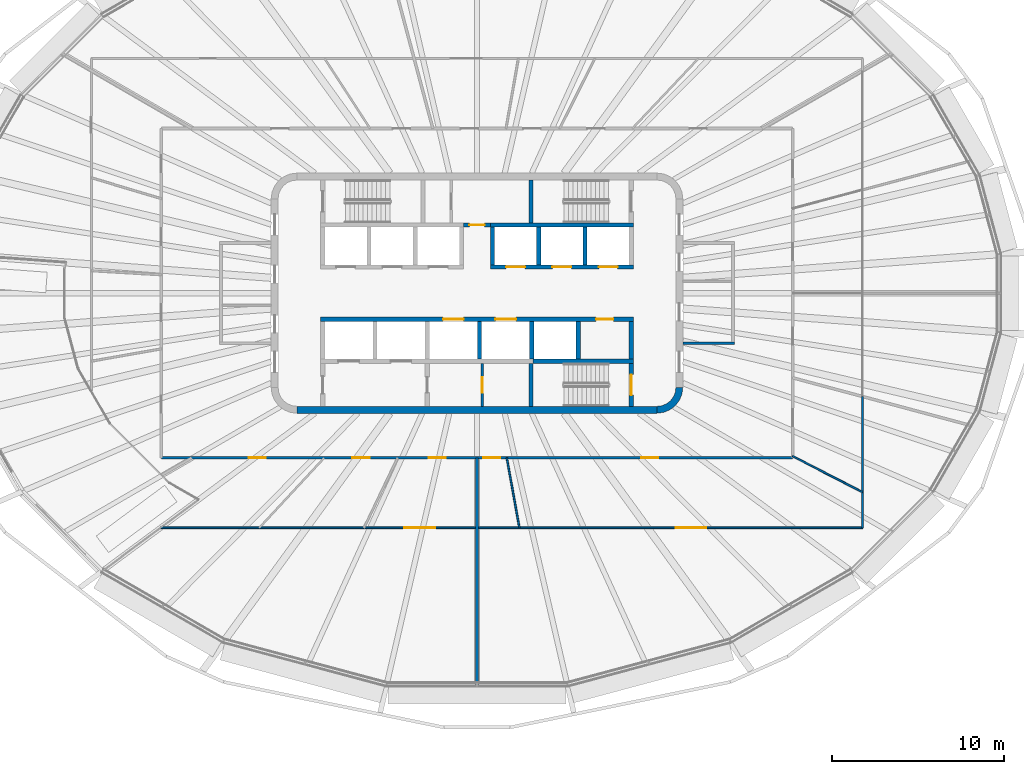
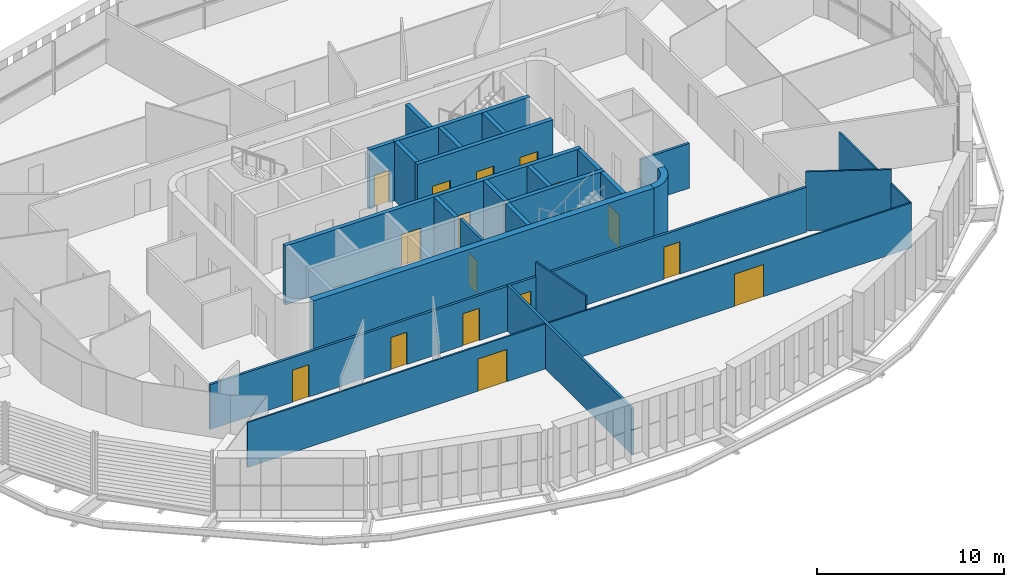
# One storey, part 11 of 20: 25 walls, 16 doors, 16 openings.
"""IFC4 building model written with IfcOpenShell, lengths in metres."""

from ifc_helpers import new_model, si_unit, direction, frame, frame_2d, origin, place, context, subcontext, project, spatial, polyline, rectangle, outline, extrude, material, layer, layer_set, type_object, element, fill, save


model = new_model("IFC4")

# Units and contexts
model_context = context("Model", 3, precision=1e-05, world=origin(), true_north=direction((0.0, 1.0)))
body_context = subcontext(model_context, "Body", "Model", "MODEL_VIEW")
ifc_project = project(units=[si_unit("LENGTHUNIT", "METRE"), si_unit("AREAUNIT", "SQUARE_METRE"), si_unit("VOLUMEUNIT", "CUBIC_METRE"), si_unit("PLANEANGLEUNIT", "RADIAN"), si_unit("MASSUNIT", "GRAM", prefix="KILO")], contexts=[model_context])

# Site, building, storey
site_placement = place(None, origin())
site = spatial("IfcSite", under=ifc_project, at=site_placement, CompositionType="ELEMENT")
building_placement = place(site_placement, origin())
building = spatial("IfcBuilding", under=site, at=building_placement, Name="Sahrelin Media Tower", CompositionType="ELEMENT")
storey_placement = place(building_placement, frame((0.0, 0.0, 221.60009765625)))
storey = spatial("IfcBuildingStorey", under=building, at=storey_placement, Name="L47", CompositionType="ELEMENT", Elevation=221.60009765625)

# Walls
ifc_material_1 = material(Name="Concrete C60/75", Category="concrete")
ifc_layer_1 = layer(ifc_material_1, 0.39990234375)
ifc_layer_set_1 = layer_set([ifc_layer_1], Name="Core wall 400")
wall_type_1 = type_object("IfcWallType", Name="Core wall 400", PredefinedType="SHEAR", material=ifc_layer_set_1)
wall_1_placement = place(storey_placement, frame((-10.5, -6.800048828125, 0.0), z_axis=(0.0, 0.0, 1.0), x_axis=(1.0, 0.0, 0.0)))
element("IfcWall", 1, at=wall_1_placement, inside=storey, type_object=wall_type_1, Name="Core wall S L47", PredefinedType="SHEAR", context=body_context, shape_type="SweptSolid", body=[
    extrude(rectangle(XDim=21.0, YDim=0.39990234375, at=frame_2d((10.5, 0.0))), origin(), (0.0, 0.0, 1.0), 4.0),
])
wall_2_placement = place(storey_placement, origin())
element("IfcWall", 2, at=wall_2_placement, inside=storey, type_object=wall_type_1, Name="Core wall corner SE L47", PredefinedType="SHEAR", context=body_context, shape_type="SweptSolid", body=[
    extrude(outline(polyline([(12.0, -5.5), (11.596435546875, -5.5), (11.55908203125, -5.78369140625), (11.44970703125, -6.04833984375), (11.275390625, -6.275390625), (11.04833984375, -6.44970703125), (10.78369140625, -6.55908203125), (10.5, -6.596435546875), (10.5, -7.0), (10.88818359375, -6.948974609375), (11.25, -6.799072265625), (11.560791015625, -6.560791015625), (11.799072265625, -6.25), (11.948974609375, -5.88818359375), (12.0, -5.5)])), origin(), (0.0, 0.0, 1.0), 4.0),
])

# Wall, opening, door
ifc_material_2 = material(Name="Fire-rated gypsum board partition")
ifc_layer_2 = layer(ifc_material_2, 0.25)
ifc_layer_set_2 = layer_set([ifc_layer_2], Name="Fire-rated lobby wall 250")
wall_type_2 = type_object("IfcWallType", Name="Fire-rated lobby wall 250", PredefinedType="PARTITIONING", material=ifc_layer_set_2)
wall_3_placement = place(storey_placement, frame((-0.77490234375, 3.97509765625, 0.0), z_axis=(0.0, 0.0, 1.0), x_axis=(1.0, 0.0, 0.0)))
wall_3 = element("IfcWall", 3, at=wall_3_placement, inside=storey, type_object=wall_type_2, Name="Core lobby wall", PredefinedType="PARTITIONING", context=body_context, shape_type="SweptSolid", body=[
    extrude(rectangle(XDim=1.5498046875, YDim=0.25, at=frame_2d((0.77490234375, 0.0))), origin(), (0.0, 0.0, 1.0), 3.849853515625),
])
opening_1_placement = place(wall_3_placement, frame((0.324951171875, 0.0, 0.0)))
opening_1 = element("IfcOpeningElement", 4, at=opening_1_placement, cuts=wall_3, Name="Opening L47-D06", PredefinedType="OPENING", context=body_context, shape_type="SweptSolid", body=[
    extrude(rectangle(XDim=0.89990234375, YDim=2.10009765625, at=frame_2d((0.449951171875, 1.050048828125))), frame((0.0, 0.125, 0.0), z_axis=(0.0, -1.0, 0.0), x_axis=(1.0, 0.0, 0.0)), (0.0, 0.0, 1.0), 0.25),
])
ifc_material_3 = material(Name="Steel fire door leaf", Category="steel")
door_type_1 = type_object("IfcDoorType", Name="Riser door 900 x 2100 EI 120", OperationType="NOTDEFINED", PredefinedType="DOOR", material=ifc_material_3)
door_1_placement = place(opening_1_placement, origin())
door_1 = element("IfcDoor", 5, at=door_1_placement, inside=storey, type_object=door_type_1, Name="Core room door", OperationType="SINGLE_SWING_LEFT", OverallHeight=2.10009765625, OverallWidth=0.89990234375, PredefinedType="DOOR", context=body_context, shape_type="SweptSolid", body=[
    extrude(rectangle(XDim=0.89990234375, YDim=2.10009765625, at=frame_2d((0.449951171875, 1.050048828125))), frame((0.0, 0.02490234375, 0.0), z_axis=(0.0, -1.0, 0.0), x_axis=(1.0, 0.0, 0.0)), (0.0, 0.0, 1.0), 0.050048828125),
])
fill(opening_1, door_1)

ifc_layer_3 = layer(ifc_material_2, 0.14990234375)
ifc_layer_set_3 = layer_set([ifc_layer_3], Name="Fire-rated partition 150")
wall_type_3 = type_object("IfcWallType", Name="Fire-rated partition 150", PredefinedType="PARTITIONING", material=ifc_layer_set_3)
wall_4_placement = place(storey_placement, frame((0.300048828125, -6.60009765625, 0.0), z_axis=(0.0, 0.0, 1.0), x_axis=(0.0, 1.0, 0.0)))
wall_4 = element("IfcWall", 6, at=wall_4_placement, inside=storey, type_object=wall_type_3, Name="Core room fire partition", PredefinedType="PARTITIONING", context=body_context, shape_type="SweptSolid", body=[
    extrude(rectangle(XDim=2.5, YDim=0.14990234375, at=frame_2d((1.25, 0.0))), origin(), (0.0, 0.0, 1.0), 3.849853515625),
])
opening_2_placement = place(wall_4_placement, frame((0.800048828125, 0.0, 0.0)))
opening_2 = element("IfcOpeningElement", 7, at=opening_2_placement, cuts=wall_4, Name="Opening L47-D08", PredefinedType="OPENING", context=body_context, shape_type="SweptSolid", body=[
    extrude(rectangle(XDim=0.89990234375, YDim=2.10009765625, at=frame_2d((0.449951171875, 1.050048828125))), frame((0.0, 0.074951171875, 0.0), z_axis=(0.0, -1.0, 0.0), x_axis=(1.0, 0.0, 0.0)), (0.0, 0.0, 1.0), 0.14990234375),
])
door_type_2 = type_object("IfcDoorType", Name="Fire door 900 x 2100 EI 60", OperationType="NOTDEFINED", PredefinedType="DOOR", material=ifc_material_3)
door_2_placement = place(opening_2_placement, origin())
door_2 = element("IfcDoor", 8, at=door_2_placement, inside=storey, type_object=door_type_2, Name="Core room door", OperationType="SINGLE_SWING_RIGHT", OverallHeight=2.10009765625, OverallWidth=0.89990234375, PredefinedType="DOOR", context=body_context, shape_type="SweptSolid", body=[
    extrude(rectangle(XDim=0.89990234375, YDim=2.10009765625, at=frame_2d((0.449951171875, 1.050048828125))), frame((0.0, 0.02490234375, 0.0), z_axis=(0.0, -1.0, 0.0), x_axis=(1.0, 0.0, 0.0)), (0.0, 0.0, 1.0), 0.050048828125),
])
fill(opening_2, door_2)

# Wall
wall_5_placement = place(storey_placement, frame((12.0, -2.925048828125, 0.0), z_axis=(0.0, 0.0, 1.0), x_axis=(1.0, 0.0, 0.0)))
element("IfcWall", 9, at=wall_5_placement, inside=storey, type_object=wall_type_3, Name="Core room fire partition", PredefinedType="PARTITIONING", context=body_context, shape_type="SweptSolid", body=[
    extrude(rectangle(XDim=3.0, YDim=0.14990234375, at=frame_2d((1.5, 0.0))), origin(), (0.0, 0.0, 1.0), 2.918212890625),
])

# Wall, openings, doors
wall_6_placement = place(storey_placement, frame((-18.39990234375, -9.60009765625, 0.0), z_axis=(0.0, 0.0, 1.0), x_axis=(1.0, 0.0, 0.0)))
wall_6 = element("IfcWall", 10, at=wall_6_placement, inside=storey, type_object=wall_type_3, Name="Wall", PredefinedType="PARTITIONING", context=body_context, shape_type="SweptSolid", body=[
    extrude(rectangle(XDim=36.7998046875, YDim=0.14990234375, at=frame_2d((18.39990234375, 0.0))), origin(), (0.0, 0.0, 1.0), 2.927001953125),
])
opening_3_placement = place(wall_6_placement, frame((5.081787109375, 0.0, 0.0)))
opening_3 = element("IfcOpeningElement", 11, at=opening_3_placement, cuts=wall_6, Name="Opening L47-D23", PredefinedType="OPENING", context=body_context, shape_type="SweptSolid", body=[
    extrude(rectangle(XDim=1.0, YDim=2.10009765625, at=frame_2d((0.5, 1.050048828125))), frame((0.0, 0.074951171875, 0.0), z_axis=(0.0, -1.0, 0.0), x_axis=(1.0, 0.0, 0.0)), (0.0, 0.0, 1.0), 0.14990234375),
])
opening_4_placement = place(wall_6_placement, frame((11.134521484375, 0.0, 0.0)))
opening_4 = element("IfcOpeningElement", 12, at=opening_4_placement, cuts=wall_6, Name="Opening L47-D24", PredefinedType="OPENING", context=body_context, shape_type="SweptSolid", body=[
    extrude(rectangle(XDim=1.0, YDim=2.10009765625, at=frame_2d((0.5, 1.050048828125))), frame((0.0, 0.074951171875, 0.0), z_axis=(0.0, -1.0, 0.0), x_axis=(1.0, 0.0, 0.0)), (0.0, 0.0, 1.0), 0.14990234375),
])
opening_5_placement = place(wall_6_placement, frame((15.58837890625, 0.0, 0.0)))
opening_5 = element("IfcOpeningElement", 13, at=opening_5_placement, cuts=wall_6, Name="Opening L47-D25", PredefinedType="OPENING", context=body_context, shape_type="SweptSolid", body=[
    extrude(rectangle(XDim=1.0, YDim=2.10009765625, at=frame_2d((0.5, 1.050048828125))), frame((0.0, 0.074951171875, 0.0), z_axis=(0.0, -1.0, 0.0), x_axis=(1.0, 0.0, 0.0)), (0.0, 0.0, 1.0), 0.14990234375),
])
opening_6_placement = place(wall_6_placement, frame((18.76806640625, 0.0, 0.0)))
opening_6 = element("IfcOpeningElement", 14, at=opening_6_placement, cuts=wall_6, Name="Opening L47-D27", PredefinedType="OPENING", context=body_context, shape_type="SweptSolid", body=[
    extrude(rectangle(XDim=1.0, YDim=2.10009765625, at=frame_2d((0.5, 1.050048828125))), frame((0.0, 0.074951171875, 0.0), z_axis=(0.0, -1.0, 0.0), x_axis=(1.0, 0.0, 0.0)), (0.0, 0.0, 1.0), 0.14990234375),
])
opening_7_placement = place(wall_6_placement, frame((27.968017578125, 0.0, 0.0)))
opening_7 = element("IfcOpeningElement", 15, at=opening_7_placement, cuts=wall_6, Name="Opening L47-D28", PredefinedType="OPENING", context=body_context, shape_type="SweptSolid", body=[
    extrude(rectangle(XDim=1.0, YDim=2.10009765625, at=frame_2d((0.5, 1.050048828125))), frame((0.0, 0.074951171875, 0.0), z_axis=(0.0, -1.0, 0.0), x_axis=(1.0, 0.0, 0.0)), (0.0, 0.0, 1.0), 0.14990234375),
])
door_type_3 = type_object("IfcDoorType", Name="Fire door 1000 x 2100 EI 60", OperationType="NOTDEFINED", PredefinedType="DOOR", material=ifc_material_3)
door_3_placement = place(opening_3_placement, origin())
door_3 = element("IfcDoor", 16, at=door_3_placement, inside=storey, type_object=door_type_3, Name="Fire door", OperationType="SINGLE_SWING_LEFT", OverallHeight=2.10009765625, OverallWidth=1.0, PredefinedType="DOOR", context=body_context, shape_type="SweptSolid", body=[
    extrude(rectangle(XDim=1.0, YDim=2.10009765625, at=frame_2d((0.5, 1.050048828125))), frame((0.0, 0.02490234375, 0.0), z_axis=(0.0, -1.0, 0.0), x_axis=(1.0, 0.0, 0.0)), (0.0, 0.0, 1.0), 0.050048828125),
])
fill(opening_3, door_3)
door_4_placement = place(opening_4_placement, origin())
door_4 = element("IfcDoor", 17, at=door_4_placement, inside=storey, type_object=door_type_3, Name="Fire door", OperationType="SINGLE_SWING_LEFT", OverallHeight=2.10009765625, OverallWidth=1.0, PredefinedType="DOOR", context=body_context, shape_type="SweptSolid", body=[
    extrude(rectangle(XDim=1.0, YDim=2.10009765625, at=frame_2d((0.5, 1.050048828125))), frame((0.0, 0.02490234375, 0.0), z_axis=(0.0, -1.0, 0.0), x_axis=(1.0, 0.0, 0.0)), (0.0, 0.0, 1.0), 0.050048828125),
])
fill(opening_4, door_4)
door_5_placement = place(opening_5_placement, origin())
door_5 = element("IfcDoor", 18, at=door_5_placement, inside=storey, type_object=door_type_3, Name="Fire door", OperationType="SINGLE_SWING_LEFT", OverallHeight=2.10009765625, OverallWidth=1.0, PredefinedType="DOOR", context=body_context, shape_type="SweptSolid", body=[
    extrude(rectangle(XDim=1.0, YDim=2.10009765625, at=frame_2d((0.5, 1.050048828125))), frame((0.0, 0.02490234375, 0.0), z_axis=(0.0, -1.0, 0.0), x_axis=(1.0, 0.0, 0.0)), (0.0, 0.0, 1.0), 0.050048828125),
])
fill(opening_5, door_5)
door_6_placement = place(opening_6_placement, origin())
door_6 = element("IfcDoor", 19, at=door_6_placement, inside=storey, type_object=door_type_3, Name="Fire door", OperationType="SINGLE_SWING_LEFT", OverallHeight=2.10009765625, OverallWidth=1.0, PredefinedType="DOOR", context=body_context, shape_type="SweptSolid", body=[
    extrude(rectangle(XDim=1.0, YDim=2.10009765625, at=frame_2d((0.5, 1.050048828125))), frame((0.0, 0.02490234375, 0.0), z_axis=(0.0, -1.0, 0.0), x_axis=(1.0, 0.0, 0.0)), (0.0, 0.0, 1.0), 0.050048828125),
])
fill(opening_6, door_6)
door_7_placement = place(opening_7_placement, origin())
door_7 = element("IfcDoor", 20, at=door_7_placement, inside=storey, type_object=door_type_3, Name="Fire door", OperationType="SINGLE_SWING_RIGHT", OverallHeight=2.10009765625, OverallWidth=1.0, PredefinedType="DOOR", context=body_context, shape_type="SweptSolid", body=[
    extrude(rectangle(XDim=1.0, YDim=2.10009765625, at=frame_2d((0.5, 1.050048828125))), frame((0.0, 0.02490234375, 0.0), z_axis=(0.0, -1.0, 0.0), x_axis=(1.0, 0.0, 0.0)), (0.0, 0.0, 1.0), 0.050048828125),
])
fill(opening_7, door_7)

# Wall
wall_7_placement = place(storey_placement, frame((0.0, -22.926025390625, 0.0), z_axis=(0.0, 0.0, 1.0), x_axis=(0.0, 1.0, 0.0)))
element("IfcWall", 21, at=wall_7_placement, inside=storey, type_object=wall_type_3, Name="Wall", PredefinedType="PARTITIONING", context=body_context, shape_type="SweptSolid", body=[
    extrude(rectangle(XDim=13.325927734375, YDim=0.14990234375, at=frame_2d((6.6630859375, 0.0))), origin(), (0.0, 0.0, 1.0), 2.994873046875),
])

# Wall, openings, doors
ifc_layer_4 = layer(ifc_material_1, 0.25)
ifc_layer_set_4 = layer_set([ifc_layer_4], Name="Lift shaft wall 250")
wall_type_4 = type_object("IfcWallType", Name="Lift shaft wall 250", PredefinedType="SOLIDWALL", material=ifc_layer_set_4)
wall_8_placement = place(storey_placement, frame((0.77490234375, 1.52490234375, 0.0), z_axis=(0.0, 0.0, 1.0), x_axis=(1.0, 0.0, 0.0)))
wall_8 = element("IfcWall", 22, at=wall_8_placement, inside=storey, type_object=wall_type_4, Name="Lift shaft wall", PredefinedType="SOLIDWALL", context=body_context, shape_type="SweptSolid", body=[
    extrude(rectangle(XDim=8.35009765625, YDim=0.25, at=frame_2d((4.175048828125, 0.0))), origin(), (0.0, 0.0, 1.0), 3.849853515625),
])
opening_8_placement = place(wall_8_placement, frame((0.925048828125, 0.0, 0.0)))
opening_8 = element("IfcOpeningElement", 23, at=opening_8_placement, cuts=wall_8, Name="Opening L47-LD-HR4", PredefinedType="OPENING", context=body_context, shape_type="SweptSolid", body=[
    extrude(rectangle(XDim=1.10009765625, YDim=2.10009765625, at=frame_2d((0.550048828125, 1.050048828125))), frame((0.0, 0.125, 0.0), z_axis=(0.0, -1.0, 0.0), x_axis=(1.0, 0.0, 0.0)), (0.0, 0.0, 1.0), 0.25),
])
opening_9_placement = place(wall_8_placement, frame((3.625, 0.0, 0.0)))
opening_9 = element("IfcOpeningElement", 24, at=opening_9_placement, cuts=wall_8, Name="Opening L47-LD-HR5", PredefinedType="OPENING", context=body_context, shape_type="SweptSolid", body=[
    extrude(rectangle(XDim=1.10009765625, YDim=2.10009765625, at=frame_2d((0.550048828125, 1.050048828125))), frame((0.0, 0.125, 0.0), z_axis=(0.0, -1.0, 0.0), x_axis=(1.0, 0.0, 0.0)), (0.0, 0.0, 1.0), 0.25),
])
opening_10_placement = place(wall_8_placement, frame((6.324951171875, 0.0, 0.0)))
opening_10 = element("IfcOpeningElement", 25, at=opening_10_placement, cuts=wall_8, Name="Opening L47-LD-HR6", PredefinedType="OPENING", context=body_context, shape_type="SweptSolid", body=[
    extrude(rectangle(XDim=1.10009765625, YDim=2.10009765625, at=frame_2d((0.550048828125, 1.050048828125))), frame((0.0, 0.125, 0.0), z_axis=(0.0, -1.0, 0.0), x_axis=(1.0, 0.0, 0.0)), (0.0, 0.0, 1.0), 0.25),
])
ifc_material_4 = material(Name="Stainless steel", Category="steel")
door_type_4 = type_object("IfcDoorType", Name="Lift landing door 1100 x 2100 EI 120", OperationType="DOUBLE_DOOR_SLIDING", PredefinedType="DOOR", material=ifc_material_4)
door_8_placement = place(opening_8_placement, origin())
door_8 = element("IfcDoor", 26, at=door_8_placement, inside=storey, type_object=door_type_4, Name="Lift landing door HR4", OperationType="DOUBLE_DOOR_SLIDING", OverallHeight=2.10009765625, OverallWidth=1.10009765625, PredefinedType="DOOR", context=body_context, shape_type="SweptSolid", body=[
    extrude(rectangle(XDim=1.10009765625, YDim=2.10009765625, at=frame_2d((0.550048828125, 1.050048828125))), frame((0.0, 0.02490234375, 0.0), z_axis=(0.0, -1.0, 0.0), x_axis=(1.0, 0.0, 0.0)), (0.0, 0.0, 1.0), 0.050048828125),
])
fill(opening_8, door_8)
door_9_placement = place(opening_9_placement, origin())
door_9 = element("IfcDoor", 27, at=door_9_placement, inside=storey, type_object=door_type_4, Name="Lift landing door HR5", OperationType="DOUBLE_DOOR_SLIDING", OverallHeight=2.10009765625, OverallWidth=1.10009765625, PredefinedType="DOOR", context=body_context, shape_type="SweptSolid", body=[
    extrude(rectangle(XDim=1.10009765625, YDim=2.10009765625, at=frame_2d((0.550048828125, 1.050048828125))), frame((0.0, 0.02490234375, 0.0), z_axis=(0.0, -1.0, 0.0), x_axis=(1.0, 0.0, 0.0)), (0.0, 0.0, 1.0), 0.050048828125),
])
fill(opening_9, door_9)
door_10_placement = place(opening_10_placement, origin())
door_10 = element("IfcDoor", 28, at=door_10_placement, inside=storey, type_object=door_type_4, Name="Lift landing door HR6", OperationType="DOUBLE_DOOR_SLIDING", OverallHeight=2.10009765625, OverallWidth=1.10009765625, PredefinedType="DOOR", context=body_context, shape_type="SweptSolid", body=[
    extrude(rectangle(XDim=1.10009765625, YDim=2.10009765625, at=frame_2d((0.550048828125, 1.050048828125))), frame((0.0, 0.02490234375, 0.0), z_axis=(0.0, -1.0, 0.0), x_axis=(1.0, 0.0, 0.0)), (0.0, 0.0, 1.0), 0.050048828125),
])
fill(opening_10, door_10)

# Walls
wall_9_placement = place(storey_placement, frame((0.77490234375, 3.97509765625, 0.0), z_axis=(0.0, 0.0, 1.0), x_axis=(1.0, 0.0, 0.0)))
element("IfcWall", 29, at=wall_9_placement, inside=storey, type_object=wall_type_4, Name="Lift shaft wall", PredefinedType="SOLIDWALL", context=body_context, shape_type="SweptSolid", body=[
    extrude(rectangle(XDim=8.35009765625, YDim=0.25, at=frame_2d((4.175048828125, 0.0))), origin(), (0.0, 0.0, 1.0), 3.849853515625),
])
for number, where, z_axis, x_axis, name in (
    (30, (6.300048828125, 1.64990234375, 0.0), (0.0, 0.0, 1.0), (0.0, 1.0, 0.0), "Lift shaft wall"),
    (31, (3.60009765625, 1.64990234375, 0.0), (0.0, 0.0, 1.0), (0.0, 1.0, 0.0), "Lift shaft wall"),
    (32, (0.89990234375, 1.64990234375, 0.0), (0.0, 0.0, 1.0), (0.0, 1.0, 0.0), "Lift shaft wall"),
):
    element("IfcWall", number, at=place(storey_placement, frame(where, z_axis=z_axis, x_axis=x_axis)), inside=storey, type_object=wall_type_4, Name=name, PredefinedType="SOLIDWALL", context=body_context, shape_type="SweptSolid", body=[
        extrude(rectangle(XDim=2.2001953125, YDim=0.25, at=frame_2d((1.10009765625, 0.0))), origin(), (0.0, 0.0, 1.0), 3.849853515625),
    ])

# Wall, openings, doors
wall_10_placement = place(storey_placement, frame((-9.125, -1.52490234375, 0.0), z_axis=(0.0, 0.0, 1.0), x_axis=(1.0, 0.0, 0.0)))
wall_10 = element("IfcWall", 33, at=wall_10_placement, inside=storey, type_object=wall_type_4, Name="Lift shaft wall", PredefinedType="SOLIDWALL", context=body_context, shape_type="SweptSolid", body=[
    extrude(rectangle(XDim=18.25, YDim=0.25, at=frame_2d((9.125, 0.0))), origin(), (0.0, 0.0, 1.0), 3.849853515625),
])
opening_11_placement = place(wall_10_placement, frame((7.14990234375, 0.0, 0.0)))
opening_11 = element("IfcOpeningElement", 34, at=opening_11_placement, cuts=wall_10, Name="Opening L47-LD-SV1", PredefinedType="OPENING", context=body_context, shape_type="SweptSolid", body=[
    extrude(rectangle(XDim=1.199951171875, YDim=2.10009765625, at=frame_2d((0.60009765625, 1.050048828125))), frame((0.0, 0.125, 0.0), z_axis=(0.0, -1.0, 0.0), x_axis=(1.0, 0.0, 0.0)), (0.0, 0.0, 1.0), 0.25),
])
opening_12_placement = place(wall_10_placement, frame((10.199951171875, 0.0, 0.0)))
opening_12 = element("IfcOpeningElement", 35, at=opening_12_placement, cuts=wall_10, Name="Opening L47-LD-SV2", PredefinedType="OPENING", context=body_context, shape_type="SweptSolid", body=[
    extrude(rectangle(XDim=1.199951171875, YDim=2.10009765625, at=frame_2d((0.60009765625, 1.050048828125))), frame((0.0, 0.125, 0.0), z_axis=(0.0, -1.0, 0.0), x_axis=(1.0, 0.0, 0.0)), (0.0, 0.0, 1.0), 0.25),
])
opening_13_placement = place(wall_10_placement, frame((16.074951171875, 0.0, 0.0)))
opening_13 = element("IfcOpeningElement", 36, at=opening_13_placement, cuts=wall_10, Name="Opening L47-D09", PredefinedType="OPENING", context=body_context, shape_type="SweptSolid", body=[
    extrude(rectangle(XDim=1.0, YDim=2.10009765625, at=frame_2d((0.5, 1.050048828125))), frame((0.0, 0.125, 0.0), z_axis=(0.0, -1.0, 0.0), x_axis=(1.0, 0.0, 0.0)), (0.0, 0.0, 1.0), 0.25),
])
door_11_placement = place(opening_13_placement, origin())
door_11 = element("IfcDoor", 37, at=door_11_placement, inside=storey, type_object=door_type_3, Name="Core room door", OperationType="SINGLE_SWING_RIGHT", OverallHeight=2.10009765625, OverallWidth=1.0, PredefinedType="DOOR", context=body_context, shape_type="SweptSolid", body=[
    extrude(rectangle(XDim=1.0, YDim=2.10009765625, at=frame_2d((0.5, 1.050048828125))), frame((0.0, 0.02490234375, 0.0), z_axis=(0.0, -1.0, 0.0), x_axis=(1.0, 0.0, 0.0)), (0.0, 0.0, 1.0), 0.050048828125),
])
fill(opening_13, door_11)
door_type_5 = type_object("IfcDoorType", Name="Lift landing door 1200 x 2100 EI 120", OperationType="DOUBLE_DOOR_SLIDING", PredefinedType="DOOR", material=ifc_material_4)
door_12_placement = place(opening_11_placement, origin())
door_12 = element("IfcDoor", 38, at=door_12_placement, inside=storey, type_object=door_type_5, Name="Lift landing door SV1", OperationType="DOUBLE_DOOR_SLIDING", OverallHeight=2.10009765625, OverallWidth=1.199951171875, PredefinedType="DOOR", context=body_context, shape_type="SweptSolid", body=[
    extrude(rectangle(XDim=1.199951171875, YDim=2.10009765625, at=frame_2d((0.60009765625, 1.050048828125))), frame((0.0, 0.02490234375, 0.0), z_axis=(0.0, -1.0, 0.0), x_axis=(1.0, 0.0, 0.0)), (0.0, 0.0, 1.0), 0.050048828125),
])
fill(opening_11, door_12)
door_13_placement = place(opening_12_placement, origin())
door_13 = element("IfcDoor", 39, at=door_13_placement, inside=storey, type_object=door_type_5, Name="Lift landing door SV2", OperationType="DOUBLE_DOOR_SLIDING", OverallHeight=2.10009765625, OverallWidth=1.199951171875, PredefinedType="DOOR", context=body_context, shape_type="SweptSolid", body=[
    extrude(rectangle(XDim=1.199951171875, YDim=2.10009765625, at=frame_2d((0.60009765625, 1.050048828125))), frame((0.0, 0.02490234375, 0.0), z_axis=(0.0, -1.0, 0.0), x_axis=(1.0, 0.0, 0.0)), (0.0, 0.0, 1.0), 0.050048828125),
])
fill(opening_12, door_13)

# Walls
wall_11_placement = place(storey_placement, frame((3.27490234375, -3.97509765625, 0.0), z_axis=(0.0, 0.0, 1.0), x_axis=(1.0, 0.0, 0.0)))
element("IfcWall", 40, at=wall_11_placement, inside=storey, type_object=wall_type_4, Name="Lift shaft wall", PredefinedType="SOLIDWALL", context=body_context, shape_type="SweptSolid", body=[
    extrude(rectangle(XDim=5.85009765625, YDim=0.25, at=frame_2d((2.925048828125, 0.0))), origin(), (0.0, 0.0, 1.0), 3.849853515625),
])
for number, where, z_axis, x_axis, name in (
    (41, (0.14990234375, -3.85009765625, 0.0), (0.0, 0.0, 1.0), (0.0, 1.0, 0.0), "Lift shaft wall"),
    (42, (3.199951171875, -3.85009765625, 0.0), (0.0, 0.0, 1.0), (0.0, 1.0, 0.0), "Lift shaft wall"),
    (43, (5.89990234375, -3.85009765625, 0.0), (0.0, 0.0, 1.0), (0.0, 1.0, 0.0), "Lift shaft wall"),
    (44, (9.0, -3.85009765625, 0.0), (0.0, 0.0, 1.0), (0.0, 1.0, 0.0), "Lift shaft wall"),
):
    element("IfcWall", number, at=place(storey_placement, frame(where, z_axis=z_axis, x_axis=x_axis)), inside=storey, type_object=wall_type_4, Name=name, PredefinedType="SOLIDWALL", context=body_context, shape_type="SweptSolid", body=[
        extrude(rectangle(XDim=2.2001953125, YDim=0.25, at=frame_2d((1.10009765625, 0.0))), origin(), (0.0, 0.0, 1.0), 3.849853515625),
    ])
ifc_material_5 = material(Name="Gypsum board partition")
ifc_layer_5 = layer(ifc_material_5, 0.10009765625)
ifc_layer_set_5 = layer_set([ifc_layer_5], Name="Partition 100")
wall_type_5 = type_object("IfcWallType", Name="Partition 100", PredefinedType="PARTITIONING", material=ifc_layer_set_5)
wall_12_placement = place(storey_placement, frame((1.736083984375, -9.60009765625, 0.0), z_axis=(0.0, 0.0, 1.0), x_axis=(0.178009628273, -0.984028745638, 0.0)))
element("IfcWall", 45, at=wall_12_placement, inside=storey, type_object=wall_type_5, Name="Wall", PredefinedType="PARTITIONING", context=body_context, shape_type="SweptSolid", body=[
    extrude(rectangle(XDim=4.14599609375, YDim=0.10009765625, at=frame_2d((2.072998046875, 0.0))), origin(), (0.0, 0.0, 1.0), 3.849853515625),
])
wall_13_placement = place(storey_placement, frame((18.39990234375, -9.498046875, 0.0), z_axis=(0.0, 0.0, 1.0), x_axis=(0.888610870054, -0.458661881587, 0.0)))
element("IfcWall", 46, at=wall_13_placement, inside=storey, type_object=wall_type_5, Name="Wall", PredefinedType="PARTITIONING", context=body_context, shape_type="SweptSolid", body=[
    extrude(rectangle(XDim=4.591552734375, YDim=0.10009765625, at=frame_2d((2.2958984375, 0.0))), origin(), (0.0, 0.0, 1.0), 3.849853515625),
])

# Wall, openings, doors
wall_14_placement = place(storey_placement, frame((-18.447998046875, -13.679931640625, 0.0), z_axis=(0.0, 0.0, 1.0), x_axis=(1.0, 0.0, 0.0)))
wall_14 = element("IfcWall", 47, at=wall_14_placement, inside=storey, type_object=wall_type_5, Name="Wall", PredefinedType="PARTITIONING", context=body_context, shape_type="SweptSolid", body=[
    extrude(rectangle(XDim=40.927978515625, YDim=0.10009765625, at=frame_2d((20.4638671875, 0.0))), origin(), (0.0, 0.0, 1.0), 2.927001953125),
])
opening_14_placement = place(wall_14_placement, frame((14.20263671875, 0.0, 0.0)))
opening_14 = element("IfcOpeningElement", 48, at=opening_14_placement, cuts=wall_14, Name="Opening L47-D26", PredefinedType="OPENING", context=body_context, shape_type="SweptSolid", body=[
    extrude(rectangle(XDim=1.800048828125, YDim=2.10009765625, at=frame_2d((0.89990234375, 1.050048828125))), frame((0.0, 0.050048828125, 0.0), z_axis=(0.0, -1.0, 0.0), x_axis=(1.0, 0.0, 0.0)), (0.0, 0.0, 1.0), 0.10009765625),
])
opening_15_placement = place(wall_14_placement, frame((30.02490234375, 0.0, 0.0)))
opening_15 = element("IfcOpeningElement", 49, at=opening_15_placement, cuts=wall_14, Name="Opening L47-D30", PredefinedType="OPENING", context=body_context, shape_type="SweptSolid", body=[
    extrude(rectangle(XDim=1.800048828125, YDim=2.10009765625, at=frame_2d((0.89990234375, 1.050048828125))), frame((0.0, 0.050048828125, 0.0), z_axis=(0.0, -1.0, 0.0), x_axis=(1.0, 0.0, 0.0)), (0.0, 0.0, 1.0), 0.10009765625),
])
ifc_material_6 = material(Name="Timber door leaf", Category="wood")
door_type_6 = type_object("IfcDoorType", Name="Double door 1800 x 2100", OperationType="DOUBLE_DOOR_SINGLE_SWING", PredefinedType="DOOR", material=ifc_material_6)
door_14_placement = place(opening_14_placement, origin())
door_14 = element("IfcDoor", 50, at=door_14_placement, inside=storey, type_object=door_type_6, Name="Double door", OperationType="DOUBLE_DOOR_SINGLE_SWING", OverallHeight=2.10009765625, OverallWidth=1.800048828125, PredefinedType="DOOR", context=body_context, shape_type="SweptSolid", body=[
    extrude(rectangle(XDim=1.800048828125, YDim=2.10009765625, at=frame_2d((0.89990234375, 1.050048828125))), frame((0.0, 0.02490234375, 0.0), z_axis=(0.0, -1.0, 0.0), x_axis=(1.0, 0.0, 0.0)), (0.0, 0.0, 1.0), 0.050048828125),
])
fill(opening_14, door_14)
door_15_placement = place(opening_15_placement, origin())
door_15 = element("IfcDoor", 51, at=door_15_placement, inside=storey, type_object=door_type_6, Name="Double door", OperationType="DOUBLE_DOOR_SINGLE_SWING", OverallHeight=2.10009765625, OverallWidth=1.800048828125, PredefinedType="DOOR", context=body_context, shape_type="SweptSolid", body=[
    extrude(rectangle(XDim=1.800048828125, YDim=2.10009765625, at=frame_2d((0.89990234375, 1.050048828125))), frame((0.0, 0.02490234375, 0.0), z_axis=(0.0, -1.0, 0.0), x_axis=(1.0, 0.0, 0.0)), (0.0, 0.0, 1.0), 0.050048828125),
])
fill(opening_15, door_15)

# Wall
wall_15_placement = place(storey_placement, frame((22.47998046875, -13.679931640625, 0.0), z_axis=(0.0, 0.0, 1.0), x_axis=(0.0, 1.0, 0.0)))
element("IfcWall", 52, at=wall_15_placement, inside=storey, type_object=wall_type_5, Name="Wall", PredefinedType="PARTITIONING", context=body_context, shape_type="SweptSolid", body=[
    extrude(rectangle(XDim=7.656005859375, YDim=0.10009765625, at=frame_2d((3.828125, 0.0))), origin(), (0.0, 0.0, 1.0), 2.927001953125),
])

# Wall, opening, door
ifc_layer_6 = layer(ifc_material_1, 0.25)
ifc_layer_set_6 = layer_set([ifc_layer_6], Name="Stair enclosure wall 250")
wall_type_6 = type_object("IfcWallType", Name="Stair enclosure wall 250", PredefinedType="SOLIDWALL", material=ifc_layer_set_6)
wall_16_placement = place(storey_placement, frame((9.0, -6.60009765625, 0.0), z_axis=(0.0, 0.0, 1.0), x_axis=(0.0, 1.0, 0.0)))
wall_16 = element("IfcWall", 53, at=wall_16_placement, inside=storey, type_object=wall_type_6, Name="Stair enclosure wall", PredefinedType="SOLIDWALL", context=body_context, shape_type="SweptSolid", body=[
    extrude(rectangle(XDim=2.5, YDim=0.25, at=frame_2d((1.25, 0.0))), origin(), (0.0, 0.0, 1.0), 3.849853515625),
])
opening_16_placement = place(wall_16_placement, frame((0.64990234375, 0.0, 0.0)))
opening_16 = element("IfcOpeningElement", 54, at=opening_16_placement, cuts=wall_16, Name="Opening L47-D03", PredefinedType="OPENING", context=body_context, shape_type="SweptSolid", body=[
    extrude(rectangle(XDim=1.199951171875, YDim=2.10009765625, at=frame_2d((0.60009765625, 1.050048828125))), frame((0.0, 0.125, 0.0), z_axis=(0.0, -1.0, 0.0), x_axis=(1.0, 0.0, 0.0)), (0.0, 0.0, 1.0), 0.25),
])
door_type_7 = type_object("IfcDoorType", Name="Stair door 1200 x 2100 EI 120", OperationType="NOTDEFINED", PredefinedType="DOOR", material=ifc_material_3)
door_16_placement = place(opening_16_placement, origin())
door_16 = element("IfcDoor", 55, at=door_16_placement, inside=storey, type_object=door_type_7, Name="Stair door ST2", OperationType="SINGLE_SWING_LEFT", OverallHeight=2.10009765625, OverallWidth=1.199951171875, PredefinedType="DOOR", context=body_context, shape_type="SweptSolid", body=[
    extrude(rectangle(XDim=1.199951171875, YDim=2.10009765625, at=frame_2d((0.60009765625, 1.050048828125))), frame((0.0, 0.02490234375, 0.0), z_axis=(0.0, -1.0, 0.0), x_axis=(1.0, 0.0, 0.0)), (0.0, 0.0, 1.0), 0.050048828125),
])
fill(opening_16, door_16)

# Walls
for number, where, z_axis, x_axis, name in (
    (56, (3.14990234375, 4.10009765625, 0.0), (0.0, 0.0, 1.0), (0.0, 1.0, 0.0), "Stair enclosure wall"),
    (57, (3.14990234375, -6.60009765625, 0.0), (0.0, 0.0, 1.0), (0.0, 1.0, 0.0), "Stair enclosure wall"),
):
    element("IfcWall", number, at=place(storey_placement, frame(where, z_axis=z_axis, x_axis=x_axis)), inside=storey, type_object=wall_type_6, Name=name, PredefinedType="SOLIDWALL", context=body_context, shape_type="SweptSolid", body=[
        extrude(rectangle(XDim=2.5, YDim=0.25, at=frame_2d((1.25, 0.0))), origin(), (0.0, 0.0, 1.0), 3.849853515625),
    ])

save(model, "model.ifc")
